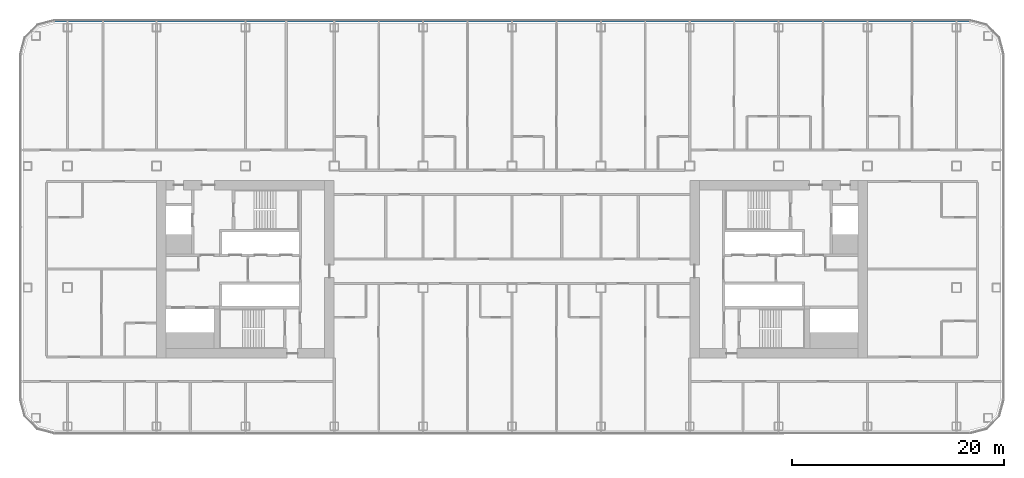
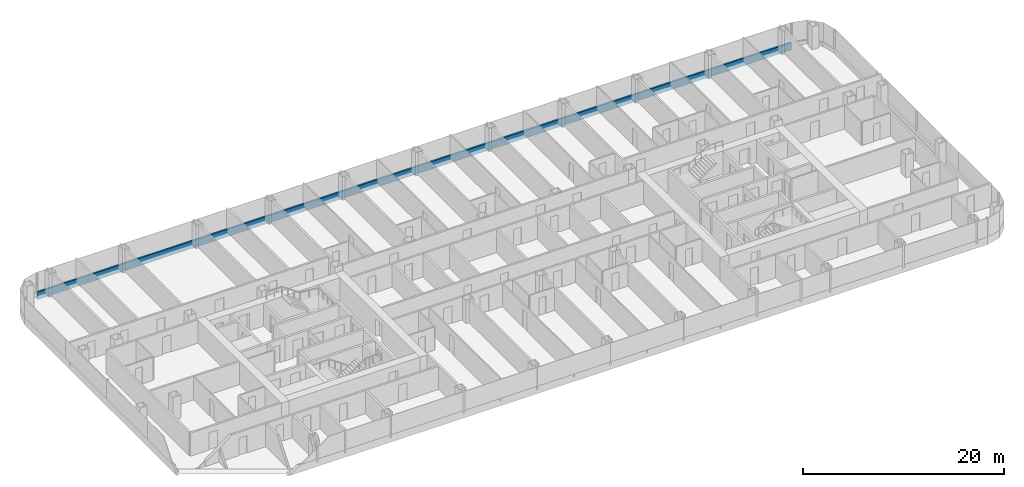
# One storey, part 9 of 29: 1 member, 1 element without a shape of its own.
"""IFC4 building model written with IfcOpenShell, lengths in metres."""

from ifc_helpers import new_model, si_unit, direction, frame, origin, origin_2d, place, context, subcontext, project, spatial, rectangle, extrude, material, layer, layer_set, material_profile, profile_set, type_object, element, aggregate, save


model = new_model("IFC4")

# Units and contexts
model_context = context("Model", 3, precision=1e-05, world=origin(), true_north=direction((0.0, 1.0)))
body_context = subcontext(model_context, "Body", "Model", "MODEL_VIEW")
ifc_project = project(units=[si_unit("LENGTHUNIT", "METRE"), si_unit("AREAUNIT", "SQUARE_METRE"), si_unit("VOLUMEUNIT", "CUBIC_METRE"), si_unit("PLANEANGLEUNIT", "RADIAN"), si_unit("MASSUNIT", "GRAM", prefix="KILO")], contexts=[model_context])

# Site, building, storey
site_placement = place(None, origin())
site = spatial("IfcSite", under=ifc_project, at=site_placement, CompositionType="ELEMENT")
building_placement = place(site_placement, origin())
building = spatial("IfcBuilding", under=site, at=building_placement, Name="Hakoniwa Tower and Hamabe Station Hall", CompositionType="ELEMENT")
storey_placement = place(building_placement, frame((0.0, 0.0, 104.199951171875)))
storey = spatial("IfcBuildingStorey", under=building, at=storey_placement, Name="L29", CompositionType="ELEMENT", Elevation=104.199951171875)

# Curtain wall, member
ifc_material_1 = material(Name="Dark low-e laminated glass", Category="glass")
ifc_layer = layer(ifc_material_1, 0.199951171875)
ifc_layer_set = layer_set([ifc_layer], Name="CW-1 UNITISED GUEST")
curtain_wall_type = type_object("IfcCurtainWallType", Name="CW-1 UNITISED GUEST", PredefinedType="NOTDEFINED", material=ifc_layer_set)
curtain_wall_placement = place(storey_placement, origin())
curtain_wall = element("IfcCurtainWall", 1, at=curtain_wall_placement, inside=storey, type_object=curtain_wall_type, Name="CW-1 curtain wall", PredefinedType="NOTDEFINED")
ifc_material_2 = material(Name="Aluminium 6063-T5 black anodised", Category="aluminium")
ifc_material_profile = material_profile(ifc_material_2, rectangle(XDim=0.199951171875, YDim=0.89990234375, at=origin_2d()), Name="CW SLAB-EDGE BAND 900X200")
ifc_profile_set = profile_set([ifc_material_profile], Name="Aluminium 6063-T5 black anodised")
member_type = type_object("IfcMemberType", Name="CW SLAB-EDGE BAND 900X200", PredefinedType="USERDEFINED", material=ifc_profile_set)
member_placement = place(storey_placement, frame((43.239501953125, 23.449951171875, -0.099853515625), z_axis=(-1.0, 0.0, 0.0), x_axis=(0.0, -1.0, 0.0)))
member = element("IfcMember", 2, at=member_placement, type_object=member_type, Name="CW-1 transom", ObjectType="TRANSOM", PredefinedType="USERDEFINED", context=body_context, shape_type="SweptSolid", body=[
    extrude(rectangle(XDim=0.199951171875, YDim=0.89990234375, at=origin_2d()), origin(), (0.0, 0.0, 1.0), 86.47900390625),
])
aggregate(curtain_wall, [member])

save(model, "model.ifc")
